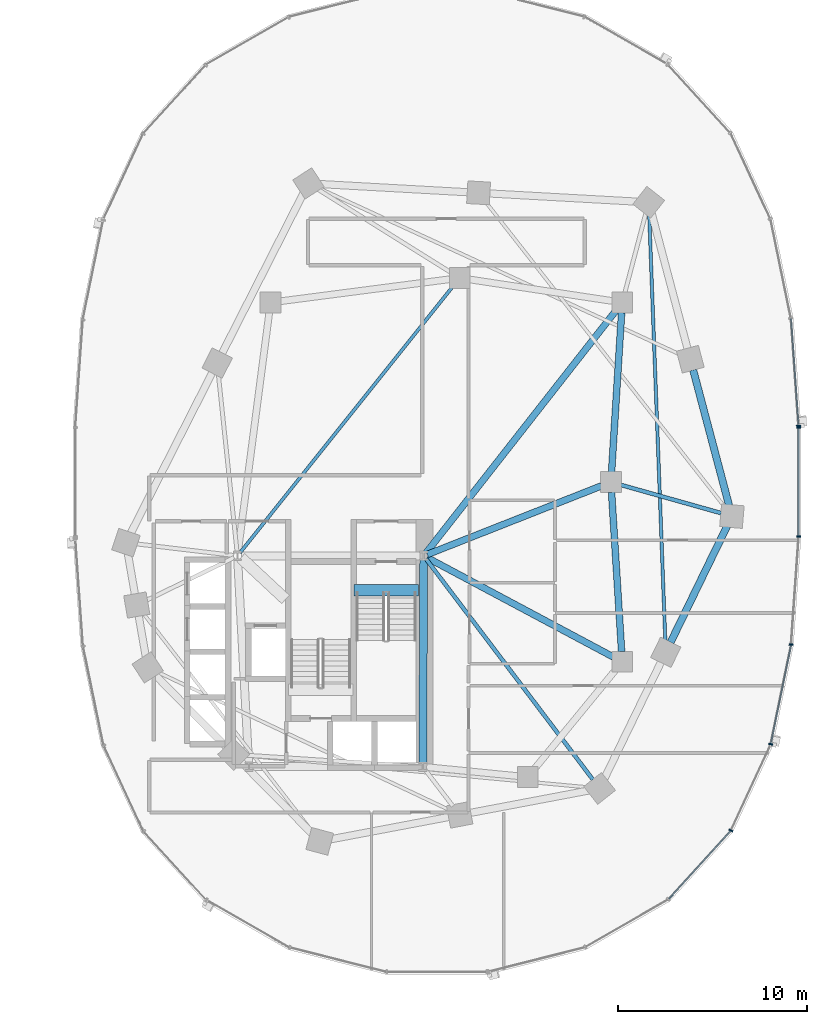
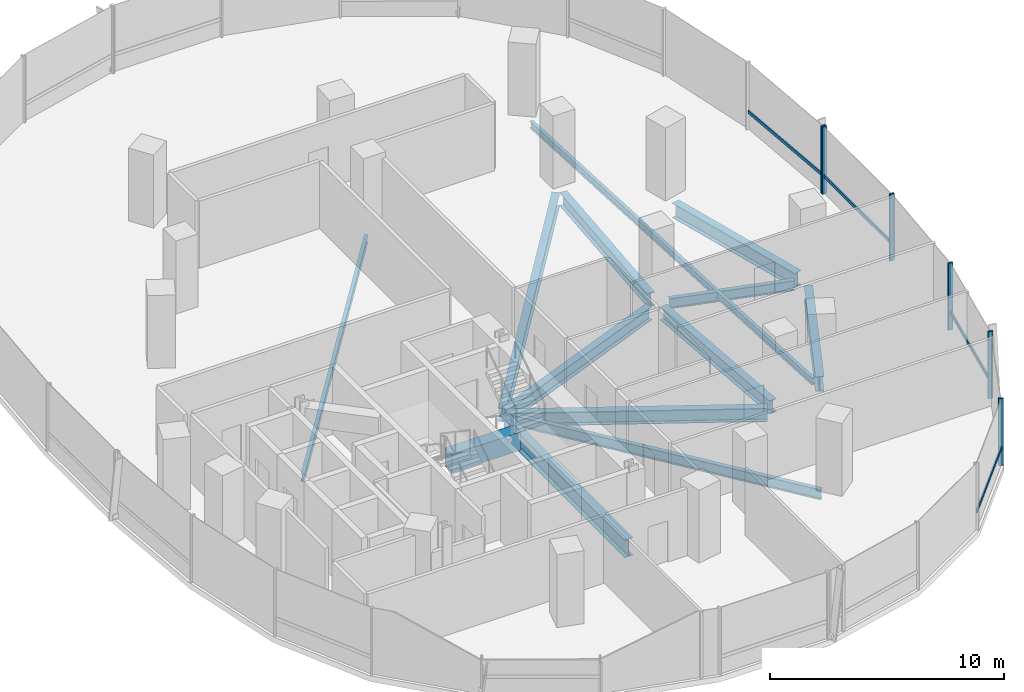
# One storey, part 6 of 21: 13 beams, 10 members, 2 elements without a shape of their own.
"""IFC4 building model written with IfcOpenShell, lengths in metres."""

from ifc_helpers import new_model, si_unit, direction, frame, origin, origin_2d, place, context, subcontext, project, spatial, rectangle, i_section, extrude, material, material_profile, profile_set, type_object, element, aggregate, save


model = new_model("IFC4")

# Units and contexts
model_context = context("Model", 3, precision=1e-05, world=origin(), true_north=direction((0.0, 1.0)))
body_context = subcontext(model_context, "Body", "Model", "MODEL_VIEW")
ifc_project = project(units=[si_unit("LENGTHUNIT", "METRE"), si_unit("AREAUNIT", "SQUARE_METRE"), si_unit("VOLUMEUNIT", "CUBIC_METRE"), si_unit("PLANEANGLEUNIT", "RADIAN"), si_unit("MASSUNIT", "GRAM", prefix="KILO"), si_unit("THERMODYNAMICTEMPERATUREUNIT", "KELVIN"), si_unit("POWERUNIT", "WATT")], contexts=[model_context])

# Site, building, storey
site_placement = place(None, origin())
site = spatial("IfcSite", under=ifc_project, at=site_placement, CompositionType="ELEMENT")
building_placement = place(site_placement, origin())
building = spatial("IfcBuilding", under=site, at=building_placement, Name="Cundina Bronze Exchange", CompositionType="ELEMENT")
storey_placement = place(building_placement, frame((0.0, 0.0, 27.800048828125)))
storey = spatial("IfcBuildingStorey", under=building, at=storey_placement, Name="L06", CompositionType="ELEMENT", Elevation=27.800048828125)

# Beams
ifc_material_1 = material(Name="Concrete C60/75", Category="concrete")
ifc_material_profile_1 = material_profile(ifc_material_1, rectangle(XDim=0.60009765625, YDim=0.949951171875, at=origin_2d()), Name="RC600X950", Category="concrete")
ifc_profile_set_1 = profile_set([ifc_material_profile_1], Name="Concrete C60/75")
beam_type_1 = type_object("IfcBeamType", Name="BM-COUP-RC950", PredefinedType="LINTEL", material=ifc_profile_set_1)
beam_1_placement = place(storey_placement, frame((27.6201171875, -5.719970703125, -0.47509765625), z_axis=(1.0, 0.0, 0.0), x_axis=(0.0, 1.0, 0.0)))
element("IfcBeam", 1, at=beam_1_placement, inside=storey, type_object=beam_type_1, Name="L06 Stair E1 Landing Header Beam", PredefinedType="LINTEL", context=body_context, shape_type="SweptSolid", body=[
    extrude(rectangle(XDim=0.60009765625, YDim=0.949951171875, at=origin_2d()), origin(), (0.0, 0.0, 1.0), 3.39990234375),
])
ifc_material_2 = material(Name="Steel ASTM A992 Grade 50", Category="steel")
ifc_material_profile_2 = material_profile(ifc_material_2, i_section(OverallWidth=0.2099609375, OverallDepth=0.532958984375, WebThickness=0.01025390625, FlangeThickness=0.015625, FilletRadius=0.013916015625, at=origin_2d()), Name="W21X62", Category="steel")
ifc_profile_set_2 = profile_set([ifc_material_profile_2], Name="Steel ASTM A992 Grade 50")
beam_type_2 = type_object("IfcBeamType", Name="BM-FLR-W21B", PredefinedType="BEAM", material=ifc_profile_set_2)
beam_2_placement = place(storey_placement, frame((31.423095703125, -4.062744140625, -0.566650390625), z_axis=(0.603106461849, -0.797660702101, 0.0), x_axis=(0.797660702101, 0.603106461849, 0.0)))
element("IfcBeam", 2, at=beam_2_placement, inside=storey, type_object=beam_type_2, Name="L06 Leg E Chordal Floor Beam 06", PredefinedType="BEAM", context=body_context, shape_type="SweptSolid", body=[
    extrude(i_section(OverallWidth=0.2099609375, OverallDepth=0.532958984375, WebThickness=0.01025390625, FlangeThickness=0.015625, FilletRadius=0.013916015625, at=origin_2d()), origin(), (0.0, 0.0, 1.0), 14.6279296875),
])
beam_3_placement = place(storey_placement, frame((41.718017578125, -0.145751953125, -0.566650390625), z_axis=(0.962650219971, -0.270748137554, 0.0), x_axis=(0.270748137554, 0.962650219971, 0.0)))
element("IfcBeam", 3, at=beam_3_placement, inside=storey, type_object=beam_type_2, Name="L06 Leg E Chordal Floor Beam 08", PredefinedType="BEAM", context=body_context, shape_type="SweptSolid", body=[
    extrude(i_section(OverallWidth=0.2099609375, OverallDepth=0.532958984375, WebThickness=0.01025390625, FlangeThickness=0.015625, FilletRadius=0.013916015625, at=origin_2d()), origin(), (0.0, 0.0, 1.0), 5.522216796875),
])
ifc_material_profile_3 = material_profile(ifc_material_2, i_section(OverallWidth=0.172119140625, OverallDepth=0.35791015625, WebThickness=0.0078125, FlangeThickness=0.01318359375, FilletRadius=0.010009765625, at=origin_2d()), Name="W14X38", Category="steel")
ifc_profile_set_3 = profile_set([ifc_material_profile_3], Name="Steel ASTM A992 Grade 50")
beam_type_3 = type_object("IfcBeamType", Name="BM-JST-W14", PredefinedType="JOIST", material=ifc_profile_set_3)
beam_4_placement = place(storey_placement, frame((21.577392578125, -3.740478515625, -0.47900390625), z_axis=(0.62436887964, 0.781129632095, 0.0), x_axis=(-0.781129632095, 0.62436887964, 0.0)))
element("IfcBeam", 4, at=beam_4_placement, inside=storey, type_object=beam_type_3, Name="L06 E Interior Core-to-Ring Joist 2", PredefinedType="JOIST", context=body_context, shape_type="SweptSolid", body=[
    extrude(i_section(OverallWidth=0.172119140625, OverallDepth=0.35791015625, WebThickness=0.0078125, FlangeThickness=0.01318359375, FilletRadius=0.010009765625, at=origin_2d()), origin(), (0.0, 0.0, 1.0), 18.076904296875),
])
beam_5_placement = place(storey_placement, frame((44.077880859375, -8.412353515625, -0.47900390625), z_axis=(-0.037794949147, 0.999285515666, 0.0), x_axis=(-0.999285515666, -0.037794949147, 0.0)))
element("IfcBeam", 5, at=beam_5_placement, inside=storey, type_object=beam_type_3, Name="L06 Leg E Lobe Floor Joist 07-10", PredefinedType="JOIST", context=body_context, shape_type="SweptSolid", body=[
    extrude(i_section(OverallWidth=0.172119140625, OverallDepth=0.35791015625, WebThickness=0.0078125, FlangeThickness=0.01318359375, FilletRadius=0.010009765625, at=origin_2d()), origin(), (0.0, 0.0, 1.0), 22.640869140625),
])
ifc_material_profile_4 = material_profile(ifc_material_2, i_section(OverallWidth=0.35498046875, OverallDepth=0.695068359375, WebThickness=0.015380859375, FlangeThickness=0.02490234375, FilletRadius=0.01806640625, at=origin_2d()), Name="W27X146", Category="steel")
ifc_profile_set_4 = profile_set([ifc_material_profile_4], Name="Steel ASTM A992 Grade 50")
beam_type_4 = type_object("IfcBeamType", Name="BM-RING-W27", PredefinedType="USERDEFINED", material=ifc_profile_set_4)
for number, where, z_axis, x_axis, name in (
    (6, (41.76611328125, -8.963134765625, -0.6474609375), (-0.06303715519, 0.998011180832, 0.0), (-0.998011180832, -0.06303715519, 0.0), "L06 E Inner Structural Ring Girder 03"),
    (7, (41.23388671875, 0.536865234375, -0.6474609375), (0.06303715519, 0.998011180832, 0.0), (-0.998011180832, 0.06303715519, 0.0), "L06 E Inner Structural Ring Girder 04"),
):
    element("IfcBeam", number, at=place(storey_placement, frame(where, z_axis=z_axis, x_axis=x_axis)), inside=storey, type_object=beam_type_4, Name=name, ObjectType="GIRDER", PredefinedType="USERDEFINED", context=body_context, shape_type="SweptSolid", body=[
        extrude(i_section(OverallWidth=0.35498046875, OverallDepth=0.695068359375, WebThickness=0.015380859375, FlangeThickness=0.02490234375, FilletRadius=0.01806640625, at=origin_2d()), origin(), (0.0, 0.0, 1.0), 8.443115234375),
    ])
beam_6_placement = place(storey_placement, frame((31.48974609375, -3.8251953125, -0.6474609375), z_axis=(0.930413235418, 0.366512225388, 0.0), x_axis=(-0.366512225388, 0.930413235418, 0.0)))
element("IfcBeam", 8, at=beam_6_placement, inside=storey, type_object=beam_type_4, Name="L06 E Core-to-Waist Tie Beam 1", ObjectType="GIRDER", PredefinedType="USERDEFINED", context=body_context, shape_type="SweptSolid", body=[
    extrude(i_section(OverallWidth=0.35498046875, OverallDepth=0.695068359375, WebThickness=0.015380859375, FlangeThickness=0.02490234375, FilletRadius=0.01806640625, at=origin_2d()), origin(), (0.0, 0.0, 1.0), 9.8984375),
])
beam_7_placement = place(storey_placement, frame((31.47998046875, -3.99609375, -0.6474609375), z_axis=(0.882354758239, -0.470584828286, 0.0), x_axis=(0.470584828286, 0.882354758239, 0.0)))
element("IfcBeam", 9, at=beam_7_placement, inside=storey, type_object=beam_type_4, Name="L06 E Core-to-Waist Tie Beam 2", ObjectType="GIRDER", PredefinedType="USERDEFINED", context=body_context, shape_type="SweptSolid", body=[
    extrude(i_section(OverallWidth=0.35498046875, OverallDepth=0.695068359375, WebThickness=0.015380859375, FlangeThickness=0.02490234375, FilletRadius=0.01806640625, at=origin_2d()), origin(), (0.0, 0.0, 1.0), 11.157958984375),
])
beam_8_placement = place(storey_placement, frame((31.42578125, -3.739501953125, -0.6474609375), z_axis=(0.616789275748, 0.787128318206, 0.0), x_axis=(-0.787128318206, 0.616789275748, 0.0)))
element("IfcBeam", 10, at=beam_8_placement, inside=storey, type_object=beam_type_4, Name="L06 E Core-to-Waist Tie Beam 3", ObjectType="GIRDER", PredefinedType="USERDEFINED", context=body_context, shape_type="SweptSolid", body=[
    extrude(i_section(OverallWidth=0.35498046875, OverallDepth=0.695068359375, WebThickness=0.015380859375, FlangeThickness=0.02490234375, FilletRadius=0.01806640625, at=origin_2d()), origin(), (0.0, 0.0, 1.0), 16.281982421875),
])
ifc_material_profile_5 = material_profile(ifc_material_2, i_section(OverallWidth=0.381103515625, OverallDepth=0.77294921875, WebThickness=0.0166015625, FlangeThickness=0.027099609375, FilletRadius=0.01904296875, at=origin_2d()), Name="W30X173", Category="steel")
ifc_profile_set_5 = profile_set([ifc_material_profile_5], Name="Steel ASTM A992 Grade 50")
beam_type_5 = type_object("IfcBeamType", Name="BM-RING-W30", PredefinedType="USERDEFINED", material=ifc_profile_set_5)
beam_9_placement = place(storey_placement, frame((44.357177734375, -8.47119140625, -0.6865234375), z_axis=(0.437190698904, 0.899368830231, 0.0), x_axis=(-0.899368830231, 0.437190698904, 0.0)))
element("IfcBeam", 11, at=beam_9_placement, inside=storey, type_object=beam_type_5, Name="L06 E Perimeter Ring Girder 07", ObjectType="GIRDER", PredefinedType="USERDEFINED", context=body_context, shape_type="SweptSolid", body=[
    extrude(i_section(OverallWidth=0.381103515625, OverallDepth=0.77294921875, WebThickness=0.0166015625, FlangeThickness=0.027099609375, FilletRadius=0.01904296875, at=origin_2d()), origin(), (0.0, 0.0, 1.0), 6.82958984375),
])
beam_10_placement = place(storey_placement, frame((47.44921875, -1.231689453125, -0.6865234375), z_axis=(-0.256177785604, 0.966629682021, 0.0), x_axis=(-0.966629682021, -0.256177785604, 0.0)))
element("IfcBeam", 12, at=beam_10_placement, inside=storey, type_object=beam_type_5, Name="L06 E Perimeter Ring Girder 08", ObjectType="GIRDER", PredefinedType="USERDEFINED", context=body_context, shape_type="SweptSolid", body=[
    extrude(i_section(OverallWidth=0.381103515625, OverallDepth=0.77294921875, WebThickness=0.0166015625, FlangeThickness=0.027099609375, FilletRadius=0.01904296875, at=origin_2d()), origin(), (0.0, 0.0, 1.0), 7.41064453125),
])
ifc_material_profile_6 = material_profile(ifc_material_2, i_section(OverallWidth=0.41796875, OverallDepth=0.927001953125, WebThickness=0.019287109375, FlangeThickness=0.031982421875, FilletRadius=0.02392578125, at=origin_2d()), Name="W36X231", Category="steel")
ifc_profile_set_6 = profile_set([ifc_material_profile_6], Name="Steel ASTM A992 Grade 50")
beam_type_6 = type_object("IfcBeamType", Name="BM-WRN-W36B", PredefinedType="USERDEFINED", material=ifc_profile_set_6)
beam_11_placement = place(storey_placement, frame((31.2509765625, -14.845947265625, -0.763427734375), z_axis=(0.004477329608, 0.99998997671, 0.0), x_axis=(-0.99998997671, 0.004477329608, 0.0)))
element("IfcBeam", 13, at=beam_11_placement, inside=storey, type_object=beam_type_6, Name="L06 E Core Perimeter Tie Girder 4", ObjectType="GIRDER", PredefinedType="USERDEFINED", context=body_context, shape_type="SweptSolid", body=[
    extrude(i_section(OverallWidth=0.41796875, OverallDepth=0.927001953125, WebThickness=0.019287109375, FlangeThickness=0.031982421875, FilletRadius=0.02392578125, at=origin_2d()), origin(), (0.0, 0.0, 1.0), 10.741943359375),
])

# Curtain wall, member
ifc_material_3 = material(Name="Anodised Bronze Aluminium 6063-T6", Category="aluminium")
curtain_wall_type = type_object("IfcCurtainWallType", Name="CWS-TRD-LOW", PredefinedType="NOTDEFINED", material=ifc_material_3)
curtain_wall_1_placement = place(storey_placement, origin())
curtain_wall_1 = element("IfcCurtainWall", 14, at=curtain_wall_1_placement, inside=storey, type_object=curtain_wall_type, Name="L06 CW-02 Curtain Wall Run CWR-L06-E1", PredefinedType="NOTDEFINED")
ifc_material_profile_7 = material_profile(ifc_material_3, rectangle(XDim=0.074951171875, YDim=0.219970703125, at=origin_2d()), Name="AL75X220", Category="aluminium")
ifc_profile_set_7 = profile_set([ifc_material_profile_7], Name="Anodised Bronze Aluminium 6063-T6")
member_type_1 = type_object("IfcMemberType", Name="CWM-MUL-220", PredefinedType="MULLION", material=ifc_profile_set_7)
member_1_placement = place(storey_placement, frame((51.12451171875, 2.976318359375, 0.0), z_axis=(0.0, 0.0, 1.0), x_axis=(-0.070278787473, 0.997527389113, 0.0)))
member_1 = element("IfcMember", 15, at=member_1_placement, type_object=member_type_1, Name="CW-02 Mullion 1", PredefinedType="MULLION", context=body_context, shape_type="SweptSolid", body=[
    extrude(rectangle(XDim=0.074951171875, YDim=0.219970703125, at=origin_2d()), origin(), (0.0, 0.0, 1.0), 3.5),
])

# Curtain wall, members
curtain_wall_2_placement = place(storey_placement, origin())
curtain_wall_2 = element("IfcCurtainWall", 16, at=curtain_wall_2_placement, inside=storey, type_object=curtain_wall_type, Name="L06 CW-02 Curtain Wall Run CWR-L06-E4", PredefinedType="NOTDEFINED")
member_2_placement = place(storey_placement, frame((47.544189453125, -18.423583984375, 0.0), z_axis=(0.0, 0.0, 1.0), x_axis=(0.42087749791, 0.907117485088, 0.0)))
member_2 = element("IfcMember", 17, at=member_2_placement, type_object=member_type_1, Name="CW-02 Mullion 4", PredefinedType="MULLION", context=body_context, shape_type="SweptSolid", body=[
    extrude(rectangle(XDim=0.074951171875, YDim=0.219970703125, at=origin_2d()), origin(), (0.0, 0.0, 1.0), 3.5),
])
member_3_placement = place(storey_placement, frame((49.651123046875, -13.861328125, 0.0), z_axis=(0.0, 0.0, 1.0), x_axis=(0.201419845156, 0.979505000486, 0.0)))
member_3 = element("IfcMember", 18, at=member_3_placement, type_object=member_type_1, Name="CW-02 Mullion 5", PredefinedType="MULLION", context=body_context, shape_type="SweptSolid", body=[
    extrude(rectangle(XDim=0.074951171875, YDim=0.219970703125, at=origin_2d()), origin(), (0.0, 0.0, 1.0), 3.5),
])
member_4_placement = place(storey_placement, frame((50.72900390625, -8.591552734375, 0.0), z_axis=(0.0, 0.0, 1.0), x_axis=(0.070278787473, 0.997527389113, 0.0)))
member_4 = element("IfcMember", 19, at=member_4_placement, type_object=member_type_1, Name="CW-02 Mullion 6", PredefinedType="MULLION", context=body_context, shape_type="SweptSolid", body=[
    extrude(rectangle(XDim=0.074951171875, YDim=0.219970703125, at=origin_2d()), origin(), (0.0, 0.0, 1.0), 3.5),
])
member_5_placement = place(storey_placement, frame((51.1279296875, -2.880615234375, 0.0), z_axis=(0.0, 0.0, 1.0), x_axis=(0.0, 1.0, 0.0)))
member_5 = element("IfcMember", 20, at=member_5_placement, type_object=member_type_1, Name="CW-02 Mullion 7", PredefinedType="MULLION", context=body_context, shape_type="SweptSolid", body=[
    extrude(rectangle(XDim=0.074951171875, YDim=0.219970703125, at=origin_2d()), origin(), (0.0, 0.0, 1.0), 3.5),
])
member_6_placement = place(storey_placement, frame((51.1279296875, 2.880615234375, 0.0), z_axis=(0.0, 0.0, 1.0), x_axis=(0.0, 1.0, 0.0)))
member_6 = element("IfcMember", 21, at=member_6_placement, type_object=member_type_1, Name="CW-02 End Mullion", PredefinedType="MULLION", context=body_context, shape_type="SweptSolid", body=[
    extrude(rectangle(XDim=0.074951171875, YDim=0.219970703125, at=origin_2d()), origin(), (0.0, 0.0, 1.0), 3.5),
])

# Member
ifc_material_profile_8 = material_profile(ifc_material_3, rectangle(XDim=0.070068359375, YDim=0.179931640625, at=origin_2d()), Name="AL70X180", Category="aluminium")
ifc_profile_set_8 = profile_set([ifc_material_profile_8], Name="Anodised Bronze Aluminium 6063-T6")
member_type_2 = type_object("IfcMemberType", Name="CWM-TRN-180", PredefinedType="USERDEFINED", material=ifc_profile_set_8)
member_7_placement = place(storey_placement, frame((51.12158203125, 3.017333984375, 0.919921875), z_axis=(-0.070260714471, 0.997528662246, 0.0), x_axis=(-0.997528662246, -0.070260714471, 0.0)))
member_7 = element("IfcMember", 22, at=member_7_placement, type_object=member_type_2, Name="CW-02 Spandrel Transom 1", ObjectType="TRANSOM", PredefinedType="USERDEFINED", context=body_context, shape_type="SweptSolid", body=[
    extrude(rectangle(XDim=0.070068359375, YDim=0.179931640625, at=origin_2d()), origin(), (0.0, 0.0, 1.0), 5.629150390625),
])

aggregate(curtain_wall_1, [member_1, member_7])

member_8_placement = place(storey_placement, frame((44.26708984375, -22.027099609375, 0.919921875), z_axis=(0.674302794847, 0.738454968743, 0.0), x_axis=(-0.738454968743, 0.674302794847, 0.0)))
member_8 = element("IfcMember", 23, at=member_8_placement, type_object=member_type_2, Name="CW-02 Spandrel Transom 3", ObjectType="TRANSOM", PredefinedType="USERDEFINED", context=body_context, shape_type="SweptSolid", body=[
    extrude(rectangle(XDim=0.070068359375, YDim=0.179931640625, at=origin_2d()), origin(), (0.0, 0.0, 1.0), 4.848388671875),
])

member_9_placement = place(storey_placement, frame((49.659423828125, -13.821044921875, 0.919921875), z_axis=(0.201427712708, 0.979503382615, 0.0), x_axis=(-0.979503382615, 0.201427712708, 0.0)))
member_9 = element("IfcMember", 24, at=member_9_placement, type_object=member_type_2, Name="CW-02 Spandrel Transom 5", ObjectType="TRANSOM", PredefinedType="USERDEFINED", context=body_context, shape_type="SweptSolid", body=[
    extrude(rectangle(XDim=0.070068359375, YDim=0.179931640625, at=origin_2d()), origin(), (0.0, 0.0, 1.0), 5.291748046875),
])

member_10_placement = place(storey_placement, frame((51.1279296875, -2.839111328125, 0.919921875), z_axis=(0.0, 1.0, 0.0), x_axis=(-1.0, 0.0, 0.0)))
member_10 = element("IfcMember", 25, at=member_10_placement, type_object=member_type_2, Name="CW-02 Spandrel Transom 7", ObjectType="TRANSOM", PredefinedType="USERDEFINED", context=body_context, shape_type="SweptSolid", body=[
    extrude(rectangle(XDim=0.070068359375, YDim=0.179931640625, at=origin_2d()), origin(), (0.0, 0.0, 1.0), 5.67822265625),
])

aggregate(curtain_wall_2, [member_8, member_2, member_3, member_9, member_4, member_5, member_6, member_10])

save(model, "model.ifc")
